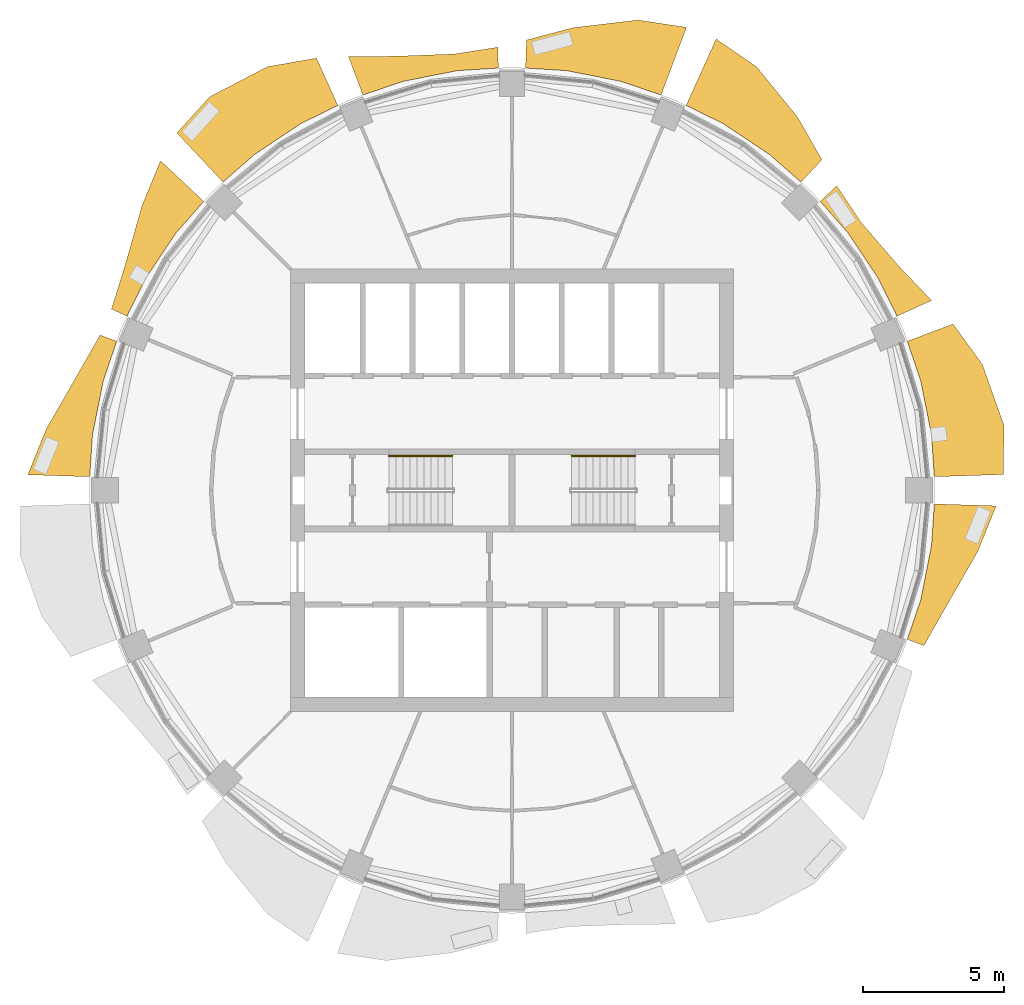
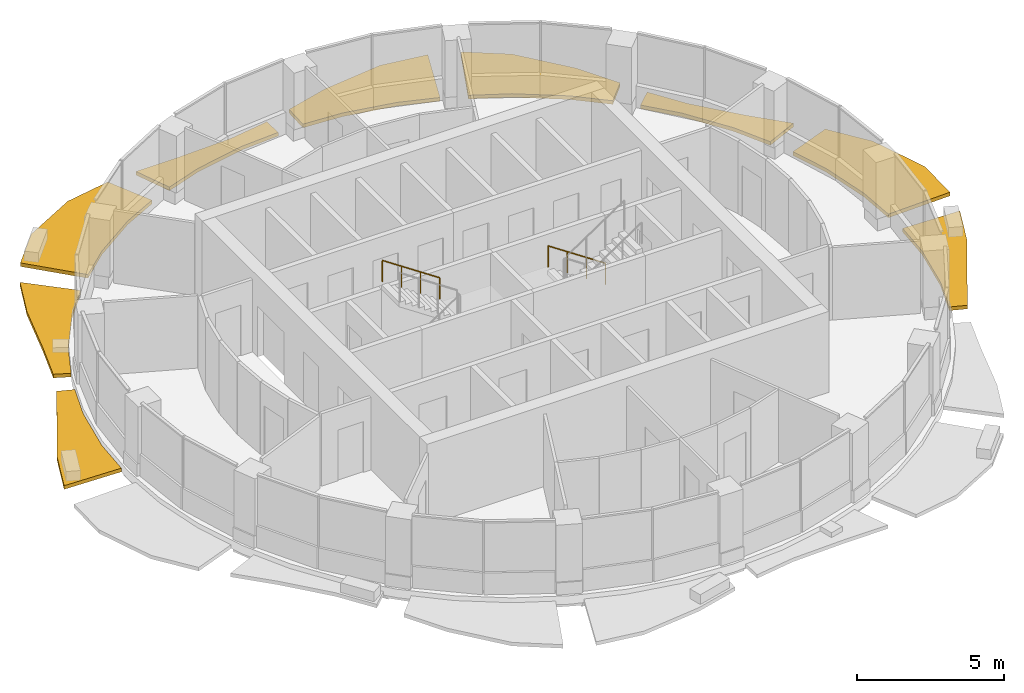
# One storey, part 13 of 14: 9 shading devices, 2 railings.
"""IFC4 building model written with IfcOpenShell, lengths in metres."""

from ifc_helpers import new_model, si_unit, direction, frame, origin, origin_2d, place, context, subcontext, project, spatial, polyline, circle, outline, extrude, material, type_object, element, save


model = new_model("IFC4")

# Units and contexts
model_context = context("Model", 3, precision=1e-05, world=origin(), true_north=direction((0.0, 1.0)))
body_context = subcontext(model_context, "Body", "Model", "MODEL_VIEW")
ifc_project = project(units=[si_unit("LENGTHUNIT", "METRE"), si_unit("AREAUNIT", "SQUARE_METRE"), si_unit("VOLUMEUNIT", "CUBIC_METRE"), si_unit("PLANEANGLEUNIT", "RADIAN"), si_unit("MASSUNIT", "GRAM", prefix="KILO")], contexts=[model_context])

# Site, building, storey
site_placement = place(None, origin())
site = spatial("IfcSite", under=ifc_project, at=site_placement, CompositionType="ELEMENT")
building_placement = place(site_placement, origin())
building = spatial("IfcBuilding", under=site, at=building_placement, Name="Polderwave Tower", CompositionType="ELEMENT")
storey_placement = place(building_placement, frame((0.0, 0.0, 227.85009765625)))
storey = spatial("IfcBuildingStorey", under=building, at=storey_placement, Name="L62", CompositionType="ELEMENT", Elevation=227.85009765625)

# Railings
ifc_material_1 = material(Name="Stainless steel", Category="steel")
railing_type = type_object("IfcRailingType", Name="Stair handrail 900", PredefinedType="HANDRAIL", material=ifc_material_1)
railing_1_placement = place(storey_placement, frame((-2.1240234375, 1.22509765625, 1.84228515625)))
element("IfcRailing", 1, at=railing_1_placement, inside=storey, type_object=railing_type, Name="L62 ST-A stair handrail 2", PredefinedType="HANDRAIL", context=body_context, shape_type="SweptSolid", body=[
    extrude(circle(Radius=0.02392578125, at=origin_2d()), frame((0.0, 0.0, 0.8759765625), z_axis=(-0.830758306289, 0.0, 0.556633305266), x_axis=(0.0, -1.0, 0.0)), (0.0, 0.0, 1.0), 2.708251953125),
    extrude(circle(Radius=0.02099609375, at=origin_2d()), origin(), (0.0, 0.0, 1.0), 0.851806640625),
    extrude(circle(Radius=0.02099609375, at=origin_2d()), frame((-0.75, 0.0, 0.50244140625)), (0.0, 0.0, 1.0), 0.851806640625),
    extrude(circle(Radius=0.02099609375, at=origin_2d()), frame((-1.5, 0.0, 1.005126953125)), (0.0, 0.0, 1.0), 0.851806640625),
    extrude(circle(Radius=0.02099609375, at=origin_2d()), frame((-2.25, 0.0, 1.507568359375)), (0.0, 0.0, 1.0), 0.851806640625),
])
railing_2_placement = place(storey_placement, frame((4.3740234375, 1.22509765625, 0.16748046875)))
element("IfcRailing", 2, at=railing_2_placement, inside=storey, type_object=railing_type, Name="L62 ST-B stair handrail 1", PredefinedType="HANDRAIL", context=body_context, shape_type="SweptSolid", body=[
    extrude(circle(Radius=0.02392578125, at=origin_2d()), frame((0.0, 0.0, 0.8759765625), z_axis=(-0.830799990696, 0.0, 0.556571087517), x_axis=(0.0, -1.0, 0.0)), (0.0, 0.0, 1.0), 2.708251953125),
    extrude(circle(Radius=0.02099609375, at=origin_2d()), origin(), (0.0, 0.0, 1.0), 0.851806640625),
    extrude(circle(Radius=0.02099609375, at=origin_2d()), frame((-0.75, 0.0, 0.50244140625)), (0.0, 0.0, 1.0), 0.851806640625),
    extrude(circle(Radius=0.02099609375, at=origin_2d()), frame((-1.5, 0.0, 1.0048828125)), (0.0, 0.0, 1.0), 0.851806640625),
    extrude(circle(Radius=0.02099609375, at=origin_2d()), frame((-2.25, 0.0, 1.50732421875)), (0.0, 0.0, 1.0), 0.851806640625),
])

# Shading devices
ifc_material_2 = material(Name="Terracotta", Category="masonry")
shading_device_type = type_object("IfcShadingDeviceType", Name="Terracotta sunshade band", PredefinedType="USERDEFINED", material=ifc_material_2)
shading_device_1_placement = place(storey_placement, frame((0.0, 0.0, -0.35009765625)))
element("IfcShadingDevice", 3, at=shading_device_1_placement, inside=storey, type_object=shading_device_type, Name="Sunshade band L62 1", ObjectType="SUNSHADE", PredefinedType="USERDEFINED", context=body_context, shape_type="SweptSolid", body=[
    extrude(outline(polyline([(15.018310546875, 0.482666015625), (14.921142578125, 1.96435546875), (14.537109375, 3.895263671875), (14.059814453125, 5.30126953125), (15.684814453125, 5.9140625), (16.7265625, 4.48193359375), (17.49755859375, 2.3037109375), (17.476318359375, 0.561767578125), (15.018310546875, 0.482666015625)])), origin(), (0.0, 0.0, 1.0), 0.14990234375),
])
shading_device_2_placement = place(storey_placement, frame((0.0, 0.0, -0.35009765625)))
element("IfcShadingDevice", 4, at=shading_device_2_placement, inside=storey, type_object=shading_device_type, Name="Sunshade band L62 2", ObjectType="SUNSHADE", PredefinedType="USERDEFINED", context=body_context, shape_type="SweptSolid", body=[
    extrude(outline(polyline([(13.6904296875, 6.193359375), (13.03369140625, 7.52490234375), (11.93994140625, 9.161865234375), (10.9609375, 10.2783203125), (11.546630859375, 10.827392578125), (12.417236328125, 9.528076171875), (13.773681640625, 7.952392578125), (14.924072265625, 6.751220703125), (13.6904296875, 6.193359375)])), origin(), (0.0, 0.0, 1.0), 0.14990234375),
])
shading_device_3_placement = place(storey_placement, frame((0.0, 0.0, -0.35009765625)))
element("IfcShadingDevice", 5, at=shading_device_3_placement, inside=storey, type_object=shading_device_type, Name="Sunshade band L62 3", ObjectType="SUNSHADE", PredefinedType="USERDEFINED", context=body_context, shape_type="SweptSolid", body=[
    extrude(outline(polyline([(10.2783203125, 10.9609375), (9.161865234375, 11.93994140625), (7.52490234375, 13.03369140625), (6.193359375, 13.6904296875), (7.260986328125, 16.05078125), (8.69775390625, 15.06494140625), (10.169921875, 13.253662109375), (11.02294921875, 11.7548828125), (10.2783203125, 10.9609375)])), origin(), (0.0, 0.0, 1.0), 0.14990234375),
])
shading_device_4_placement = place(storey_placement, frame((0.0, 0.0, -0.35009765625)))
element("IfcShadingDevice", 6, at=shading_device_4_placement, inside=storey, type_object=shading_device_type, Name="Sunshade band L62 4", ObjectType="SUNSHADE", PredefinedType="USERDEFINED", context=body_context, shape_type="SweptSolid", body=[
    extrude(outline(polyline([(5.30126953125, 14.059814453125), (3.895263671875, 14.537109375), (1.96435546875, 14.921142578125), (0.482666015625, 15.018310546875), (0.5146484375, 16.013916015625), (2.166015625, 16.452392578125), (4.48193359375, 16.7265625), (6.207763671875, 16.4638671875), (5.30126953125, 14.059814453125)])), origin(), (0.0, 0.0, 1.0), 0.14990234375),
])
shading_device_5_placement = place(storey_placement, frame((0.0, 0.0, -0.35009765625)))
element("IfcShadingDevice", 7, at=shading_device_5_placement, inside=storey, type_object=shading_device_type, Name="Sunshade band L62 5", ObjectType="SUNSHADE", PredefinedType="USERDEFINED", context=body_context, shape_type="SweptSolid", body=[
    extrude(outline(polyline([(-0.482666015625, 15.018310546875), (-1.96435546875, 14.921142578125), (-3.895263671875, 14.537109375), (-5.30126953125, 14.059814453125), (-5.817626953125, 15.42919921875), (-4.13671875, 15.438720703125), (-2.04296875, 15.517578125), (-0.506591796875, 15.758544921875), (-0.482666015625, 15.018310546875)])), origin(), (0.0, 0.0, 1.0), 0.14990234375),
])
shading_device_6_placement = place(storey_placement, frame((0.0, 0.0, -0.35009765625)))
element("IfcShadingDevice", 8, at=shading_device_6_placement, inside=storey, type_object=shading_device_type, Name="Sunshade band L62 6", ObjectType="SUNSHADE", PredefinedType="USERDEFINED", context=body_context, shape_type="SweptSolid", body=[
    extrude(outline(polyline([(-6.193359375, 13.6904296875), (-7.52490234375, 13.03369140625), (-9.161865234375, 11.93994140625), (-10.2783203125, 10.9609375), (-11.91796875, 12.70947265625), (-10.74365234375, 14.00146484375), (-8.69775390625, 15.06494140625), (-6.9541015625, 15.372314453125), (-6.193359375, 13.6904296875)])), origin(), (0.0, 0.0, 1.0), 0.14990234375),
])
shading_device_7_placement = place(storey_placement, frame((0.0, 0.0, -0.35009765625)))
element("IfcShadingDevice", 9, at=shading_device_7_placement, inside=storey, type_object=shading_device_type, Name="Sunshade band L62 7", ObjectType="SUNSHADE", PredefinedType="USERDEFINED", context=body_context, shape_type="SweptSolid", body=[
    extrude(outline(polyline([(-10.9609375, 10.2783203125), (-11.93994140625, 9.161865234375), (-13.03369140625, 7.52490234375), (-13.6904296875, 6.193359375), (-14.24560546875, 6.4443359375), (-13.773681640625, 7.952392578125), (-13.1650390625, 10.101806640625), (-12.501220703125, 11.722412109375), (-10.9609375, 10.2783203125)])), origin(), (0.0, 0.0, 1.0), 0.14990234375),
])
shading_device_8_placement = place(storey_placement, frame((0.0, 0.0, -0.35009765625)))
element("IfcShadingDevice", 10, at=shading_device_8_placement, inside=storey, type_object=shading_device_type, Name="Sunshade band L62 8", ObjectType="SUNSHADE", PredefinedType="USERDEFINED", context=body_context, shape_type="SweptSolid", body=[
    extrude(outline(polyline([(-14.059814453125, 5.30126953125), (-14.537109375, 3.895263671875), (-14.921142578125, 1.96435546875), (-15.018310546875, 0.482666015625), (-17.22119140625, 0.553466796875), (-16.562744140625, 2.180419921875), (-15.438720703125, 4.13671875), (-14.650146484375, 5.523681640625), (-14.059814453125, 5.30126953125)])), origin(), (0.0, 0.0, 1.0), 0.14990234375),
])
shading_device_9_placement = place(storey_placement, frame((0.0, 0.0, -0.35009765625)))
element("IfcShadingDevice", 11, at=shading_device_9_placement, inside=storey, type_object=shading_device_type, Name="Sunshade band L62 16", ObjectType="SUNSHADE", PredefinedType="USERDEFINED", context=body_context, shape_type="SweptSolid", body=[
    extrude(outline(polyline([(14.059814453125, -5.30126953125), (14.537109375, -3.895263671875), (14.921142578125, -1.96435546875), (15.018310546875, -0.482666015625), (17.22119140625, -0.553466796875), (16.562744140625, -2.180419921875), (15.438720703125, -4.13671875), (14.650146484375, -5.523681640625), (14.059814453125, -5.30126953125)])), origin(), (0.0, 0.0, 1.0), 0.14990234375),
])

save(model, "model.ifc")
